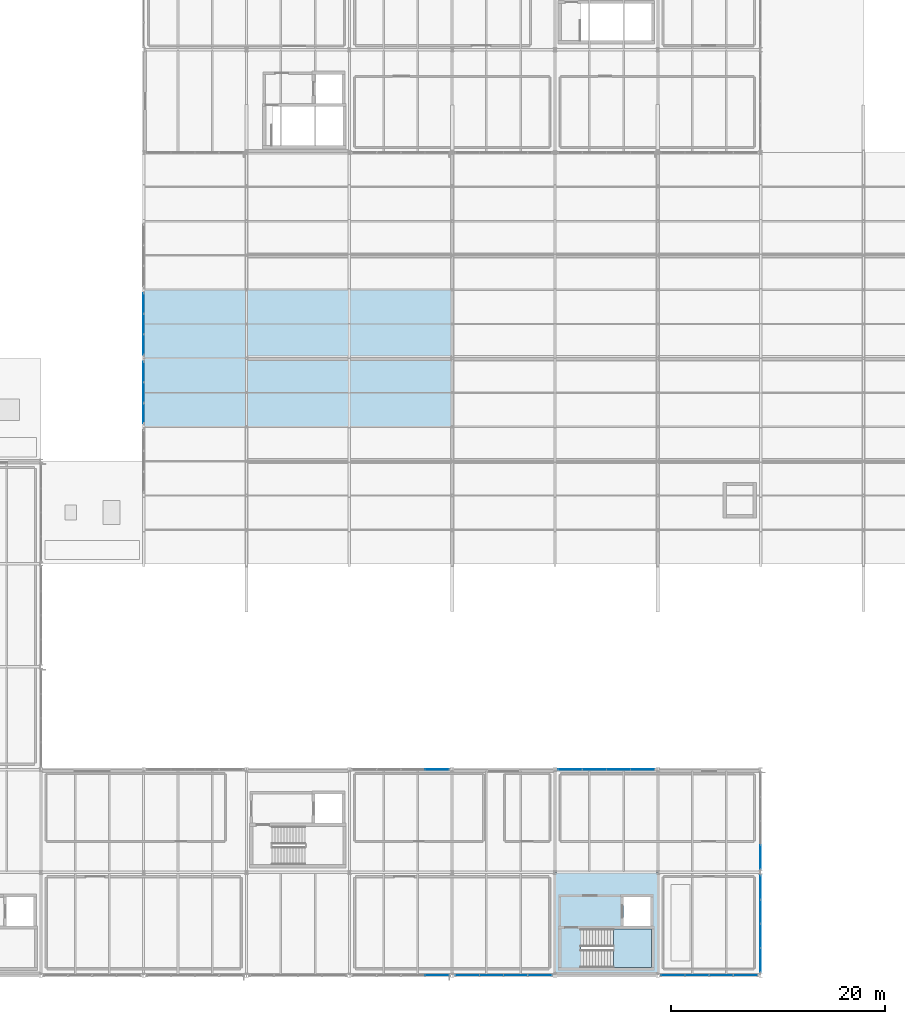
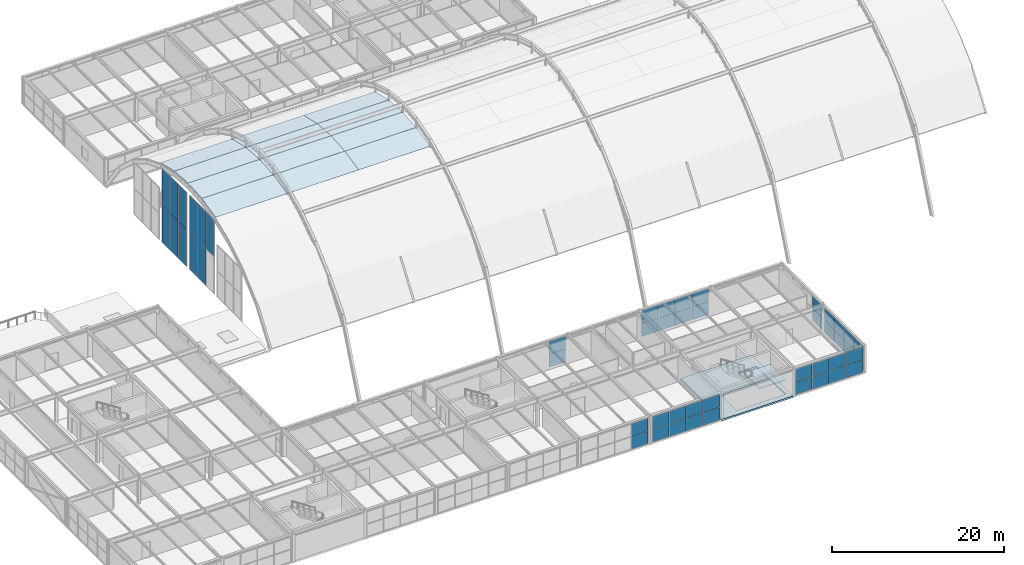
# One storey, part 106 of 126: 61 plates, 2 slabs, 10 elements without a shape of their own.
"""IFC4 building model written with IfcOpenShell, lengths in metres."""

from ifc_helpers import new_model, si_unit, direction, frame, origin, origin_2d, place, context, subcontext, project, spatial, polyline, rectangle, outline, extrude, material, layer, layer_set, type_object, element, aggregate, save


model = new_model("IFC4")

# Units and contexts
model_context = context("Model", 3, precision=1e-05, world=origin(), true_north=direction((0.0, 1.0)))
body_context = subcontext(model_context, "Body", "Model", "MODEL_VIEW")
ifc_project = project(units=[si_unit("LENGTHUNIT", "METRE"), si_unit("AREAUNIT", "SQUARE_METRE"), si_unit("VOLUMEUNIT", "CUBIC_METRE"), si_unit("PLANEANGLEUNIT", "RADIAN"), si_unit("MASSUNIT", "GRAM", prefix="KILO")], contexts=[model_context])

# Site, building, storey
site_placement = place(None, origin())
site = spatial("IfcSite", under=ifc_project, at=site_placement, CompositionType="ELEMENT")
building_placement = place(site_placement, origin())
building = spatial("IfcBuilding", under=site, at=building_placement, Name="Coralgate Yard Interchange", CompositionType="ELEMENT")
storey_placement = place(building_placement, frame((0.0, 0.0, 10.5)))
storey = spatial("IfcBuildingStorey", under=building, at=storey_placement, Name="L02", CompositionType="ELEMENT", Elevation=10.5)

# Curtain wall, plates
ifc_material_1 = material(Name="Anodised coastal aluminium and solar-control low-E glass", Category="aluminium")
curtain_wall_type_1 = type_object("IfcCurtainWallType", Name="CW-CW-L02-A", PredefinedType="NOTDEFINED", material=ifc_material_1)
curtain_wall_1_placement = place(storey_placement, origin())
curtain_wall_1 = element("IfcCurtainWall", 1, at=curtain_wall_1_placement, inside=storey, type_object=curtain_wall_type_1, Name="L02 unitised curtain wall CW-L02-S-06-00", PredefinedType="NOTDEFINED")
ifc_material_2 = material(Name="Solar-control double-glazed low-E glass unit", Category="glass")
ifc_layer_1 = layer(ifc_material_2, 0.028076171875)
ifc_layer_set_1 = layer_set([ifc_layer_1], Name="Solar-control double-glazed low-E glass unit")
plate_type_1 = type_object("IfcPlateType", Name="PLT-CP-28", PredefinedType="CURTAIN_PANEL", material=ifc_layer_set_1)
plate_1_placement = place(storey_placement, frame((65.77490234375, 0.0, 0.02490234375), z_axis=(0.0, 0.0, 1.0), x_axis=(-1.0, 0.0, 0.0)))
plate_1 = element("IfcPlate", 2, at=plate_1_placement, type_object=plate_type_1, Name="CW-L02-S-06-00 solar-control glazing panel 1-1", PredefinedType="CURTAIN_PANEL", context=body_context, shape_type="SweptSolid", body=[
    extrude(rectangle(XDim=2.199951171875, YDim=0.028076171875, at=origin_2d()), origin(), (0.0, 0.0, 1.0), 1.780029296875),
])
plate_2_placement = place(storey_placement, frame((65.77490234375, 0.0, 1.85498046875), z_axis=(0.0, 0.0, 1.0), x_axis=(-1.0, 0.0, 0.0)))
plate_2 = element("IfcPlate", 3, at=plate_2_placement, type_object=plate_type_1, Name="CW-L02-S-06-00 solar-control glazing panel 1-2", PredefinedType="CURTAIN_PANEL", context=body_context, shape_type="SweptSolid", body=[
    extrude(rectangle(XDim=2.199951171875, YDim=0.028076171875, at=origin_2d()), origin(), (0.0, 0.0, 1.0), 1.780029296875),
])
aggregate(curtain_wall_1, [plate_1, plate_2])

curtain_wall_2_placement = place(storey_placement, origin())
curtain_wall_2 = element("IfcCurtainWall", 4, at=curtain_wall_2_placement, inside=storey, type_object=curtain_wall_type_1, Name="L02 unitised curtain wall CW-L02-N-06-01", PredefinedType="NOTDEFINED")
plate_3_placement = place(storey_placement, frame((65.77490234375, 19.199951171875, 0.02490234375), z_axis=(0.0, 0.0, 1.0), x_axis=(1.0, 0.0, 0.0)))
plate_3 = element("IfcPlate", 5, at=plate_3_placement, type_object=plate_type_1, Name="CW-L02-N-06-01 solar-control glazing panel 4-1", PredefinedType="CURTAIN_PANEL", context=body_context, shape_type="SweptSolid", body=[
    extrude(rectangle(XDim=2.199951171875, YDim=0.028076171875, at=origin_2d()), origin(), (0.0, 0.0, 1.0), 1.780029296875),
])
plate_4_placement = place(storey_placement, frame((65.77490234375, 19.199951171875, 1.85498046875), z_axis=(0.0, 0.0, 1.0), x_axis=(1.0, 0.0, 0.0)))
plate_4 = element("IfcPlate", 6, at=plate_4_placement, type_object=plate_type_1, Name="CW-L02-N-06-01 solar-control glazing panel 4-2", PredefinedType="CURTAIN_PANEL", context=body_context, shape_type="SweptSolid", body=[
    extrude(rectangle(XDim=2.199951171875, YDim=0.028076171875, at=origin_2d()), origin(), (0.0, 0.0, 1.0), 1.780029296875),
])
aggregate(curtain_wall_2, [plate_3, plate_4])

curtain_wall_3_placement = place(storey_placement, origin())
curtain_wall_3 = element("IfcCurtainWall", 7, at=curtain_wall_3_placement, inside=storey, type_object=curtain_wall_type_1, Name="L02 unitised curtain wall CW-L02-S-07-00", PredefinedType="NOTDEFINED")
plate_5_placement = place(storey_placement, frame((75.375, 0.0, 0.02490234375), z_axis=(0.0, 0.0, 1.0), x_axis=(-1.0, 0.0, 0.0)))
plate_5 = element("IfcPlate", 8, at=plate_5_placement, type_object=plate_type_1, Name="CW-L02-S-07-00 solar-control glazing panel 1-1", PredefinedType="CURTAIN_PANEL", context=body_context, shape_type="SweptSolid", body=[
    extrude(rectangle(XDim=2.199951171875, YDim=0.028076171875, at=origin_2d()), origin(), (0.0, 0.0, 1.0), 1.780029296875),
])
plate_6_placement = place(storey_placement, frame((75.375, 0.0, 1.85498046875), z_axis=(0.0, 0.0, 1.0), x_axis=(-1.0, 0.0, 0.0)))
plate_6 = element("IfcPlate", 9, at=plate_6_placement, type_object=plate_type_1, Name="CW-L02-S-07-00 solar-control glazing panel 1-2", PredefinedType="CURTAIN_PANEL", context=body_context, shape_type="SweptSolid", body=[
    extrude(rectangle(XDim=2.199951171875, YDim=0.028076171875, at=origin_2d()), origin(), (0.0, 0.0, 1.0), 1.780029296875),
])
plate_7_placement = place(storey_placement, frame((73.125, 0.0, 0.02490234375), z_axis=(0.0, 0.0, 1.0), x_axis=(-1.0, 0.0, 0.0)))
plate_7 = element("IfcPlate", 10, at=plate_7_placement, type_object=plate_type_1, Name="CW-L02-S-07-00 solar-control glazing panel 2-1", PredefinedType="CURTAIN_PANEL", context=body_context, shape_type="SweptSolid", body=[
    extrude(rectangle(XDim=2.199951171875, YDim=0.028076171875, at=origin_2d()), origin(), (0.0, 0.0, 1.0), 1.780029296875),
])
plate_8_placement = place(storey_placement, frame((73.125, 0.0, 1.85498046875), z_axis=(0.0, 0.0, 1.0), x_axis=(-1.0, 0.0, 0.0)))
plate_8 = element("IfcPlate", 11, at=plate_8_placement, type_object=plate_type_1, Name="CW-L02-S-07-00 solar-control glazing panel 2-2", PredefinedType="CURTAIN_PANEL", context=body_context, shape_type="SweptSolid", body=[
    extrude(rectangle(XDim=2.199951171875, YDim=0.028076171875, at=origin_2d()), origin(), (0.0, 0.0, 1.0), 1.780029296875),
])
plate_9_placement = place(storey_placement, frame((70.875, 0.0, 0.02490234375), z_axis=(0.0, 0.0, 1.0), x_axis=(-1.0, 0.0, 0.0)))
plate_9 = element("IfcPlate", 12, at=plate_9_placement, type_object=plate_type_1, Name="CW-L02-S-07-00 solar-control glazing panel 3-1", PredefinedType="CURTAIN_PANEL", context=body_context, shape_type="SweptSolid", body=[
    extrude(rectangle(XDim=2.199951171875, YDim=0.028076171875, at=origin_2d()), origin(), (0.0, 0.0, 1.0), 1.780029296875),
])
plate_10_placement = place(storey_placement, frame((70.875, 0.0, 1.85498046875), z_axis=(0.0, 0.0, 1.0), x_axis=(-1.0, 0.0, 0.0)))
plate_10 = element("IfcPlate", 13, at=plate_10_placement, type_object=plate_type_1, Name="CW-L02-S-07-00 solar-control glazing panel 3-2", PredefinedType="CURTAIN_PANEL", context=body_context, shape_type="SweptSolid", body=[
    extrude(rectangle(XDim=2.199951171875, YDim=0.028076171875, at=origin_2d()), origin(), (0.0, 0.0, 1.0), 1.780029296875),
])
plate_11_placement = place(storey_placement, frame((68.625, 0.0, 0.02490234375), z_axis=(0.0, 0.0, 1.0), x_axis=(-1.0, 0.0, 0.0)))
plate_11 = element("IfcPlate", 14, at=plate_11_placement, type_object=plate_type_1, Name="CW-L02-S-07-00 solar-control glazing panel 4-1", PredefinedType="CURTAIN_PANEL", context=body_context, shape_type="SweptSolid", body=[
    extrude(rectangle(XDim=2.199951171875, YDim=0.028076171875, at=origin_2d()), origin(), (0.0, 0.0, 1.0), 1.780029296875),
])
plate_12_placement = place(storey_placement, frame((68.625, 0.0, 1.85498046875), z_axis=(0.0, 0.0, 1.0), x_axis=(-1.0, 0.0, 0.0)))
plate_12 = element("IfcPlate", 15, at=plate_12_placement, type_object=plate_type_1, Name="CW-L02-S-07-00 solar-control glazing panel 4-2", PredefinedType="CURTAIN_PANEL", context=body_context, shape_type="SweptSolid", body=[
    extrude(rectangle(XDim=2.199951171875, YDim=0.028076171875, at=origin_2d()), origin(), (0.0, 0.0, 1.0), 1.780029296875),
])
aggregate(curtain_wall_3, [plate_5, plate_6, plate_7, plate_8, plate_9, plate_10, plate_11, plate_12])

curtain_wall_4_placement = place(storey_placement, origin())
curtain_wall_4 = element("IfcCurtainWall", 16, at=curtain_wall_4_placement, inside=storey, type_object=curtain_wall_type_1, Name="L02 unitised curtain wall CW-L02-N-08-01", PredefinedType="NOTDEFINED")
plate_13_placement = place(storey_placement, frame((78.22509765625, 19.199951171875, 0.02490234375), z_axis=(0.0, 0.0, 1.0), x_axis=(1.0, 0.0, 0.0)))
plate_13 = element("IfcPlate", 17, at=plate_13_placement, type_object=plate_type_1, Name="CW-L02-N-08-01 solar-control glazing panel 1-1", PredefinedType="CURTAIN_PANEL", context=body_context, shape_type="SweptSolid", body=[
    extrude(rectangle(XDim=2.199951171875, YDim=0.028076171875, at=origin_2d()), origin(), (0.0, 0.0, 1.0), 1.780029296875),
])
plate_14_placement = place(storey_placement, frame((78.22509765625, 19.199951171875, 1.85498046875), z_axis=(0.0, 0.0, 1.0), x_axis=(1.0, 0.0, 0.0)))
plate_14 = element("IfcPlate", 18, at=plate_14_placement, type_object=plate_type_1, Name="CW-L02-N-08-01 solar-control glazing panel 1-2", PredefinedType="CURTAIN_PANEL", context=body_context, shape_type="SweptSolid", body=[
    extrude(rectangle(XDim=2.199951171875, YDim=0.028076171875, at=origin_2d()), origin(), (0.0, 0.0, 1.0), 1.780029296875),
])
plate_15_placement = place(storey_placement, frame((80.47509765625, 19.199951171875, 0.02490234375), z_axis=(0.0, 0.0, 1.0), x_axis=(1.0, 0.0, 0.0)))
plate_15 = element("IfcPlate", 19, at=plate_15_placement, type_object=plate_type_1, Name="CW-L02-N-08-01 solar-control glazing panel 2-1", PredefinedType="CURTAIN_PANEL", context=body_context, shape_type="SweptSolid", body=[
    extrude(rectangle(XDim=2.199951171875, YDim=0.028076171875, at=origin_2d()), origin(), (0.0, 0.0, 1.0), 1.780029296875),
])
plate_16_placement = place(storey_placement, frame((80.47509765625, 19.199951171875, 1.85498046875), z_axis=(0.0, 0.0, 1.0), x_axis=(1.0, 0.0, 0.0)))
plate_16 = element("IfcPlate", 20, at=plate_16_placement, type_object=plate_type_1, Name="CW-L02-N-08-01 solar-control glazing panel 2-2", PredefinedType="CURTAIN_PANEL", context=body_context, shape_type="SweptSolid", body=[
    extrude(rectangle(XDim=2.199951171875, YDim=0.028076171875, at=origin_2d()), origin(), (0.0, 0.0, 1.0), 1.780029296875),
])
plate_17_placement = place(storey_placement, frame((82.72509765625, 19.199951171875, 0.02490234375), z_axis=(0.0, 0.0, 1.0), x_axis=(1.0, 0.0, 0.0)))
plate_17 = element("IfcPlate", 21, at=plate_17_placement, type_object=plate_type_1, Name="CW-L02-N-08-01 solar-control glazing panel 3-1", PredefinedType="CURTAIN_PANEL", context=body_context, shape_type="SweptSolid", body=[
    extrude(rectangle(XDim=2.199951171875, YDim=0.028076171875, at=origin_2d()), origin(), (0.0, 0.0, 1.0), 1.780029296875),
])
plate_18_placement = place(storey_placement, frame((82.72509765625, 19.199951171875, 1.85498046875), z_axis=(0.0, 0.0, 1.0), x_axis=(1.0, 0.0, 0.0)))
plate_18 = element("IfcPlate", 22, at=plate_18_placement, type_object=plate_type_1, Name="CW-L02-N-08-01 solar-control glazing panel 3-2", PredefinedType="CURTAIN_PANEL", context=body_context, shape_type="SweptSolid", body=[
    extrude(rectangle(XDim=2.199951171875, YDim=0.028076171875, at=origin_2d()), origin(), (0.0, 0.0, 1.0), 1.780029296875),
])
plate_19_placement = place(storey_placement, frame((84.97509765625, 19.199951171875, 0.02490234375), z_axis=(0.0, 0.0, 1.0), x_axis=(1.0, 0.0, 0.0)))
plate_19 = element("IfcPlate", 23, at=plate_19_placement, type_object=plate_type_1, Name="CW-L02-N-08-01 solar-control glazing panel 4-1", PredefinedType="CURTAIN_PANEL", context=body_context, shape_type="SweptSolid", body=[
    extrude(rectangle(XDim=2.199951171875, YDim=0.028076171875, at=origin_2d()), origin(), (0.0, 0.0, 1.0), 1.780029296875),
])
plate_20_placement = place(storey_placement, frame((84.97509765625, 19.199951171875, 1.85498046875), z_axis=(0.0, 0.0, 1.0), x_axis=(1.0, 0.0, 0.0)))
plate_20 = element("IfcPlate", 24, at=plate_20_placement, type_object=plate_type_1, Name="CW-L02-N-08-01 solar-control glazing panel 4-2", PredefinedType="CURTAIN_PANEL", context=body_context, shape_type="SweptSolid", body=[
    extrude(rectangle(XDim=2.199951171875, YDim=0.028076171875, at=origin_2d()), origin(), (0.0, 0.0, 1.0), 1.780029296875),
])
aggregate(curtain_wall_4, [plate_13, plate_14, plate_15, plate_16, plate_17, plate_18, plate_19, plate_20])

curtain_wall_5_placement = place(storey_placement, origin())
curtain_wall_5 = element("IfcCurtainWall", 25, at=curtain_wall_5_placement, inside=storey, type_object=curtain_wall_type_1, Name="L02 unitised curtain wall CW-L02-S-09-00", PredefinedType="NOTDEFINED")
plate_21_placement = place(storey_placement, frame((94.574951171875, 0.0, 0.02490234375), z_axis=(0.0, 0.0, 1.0), x_axis=(-1.0, 0.0, 0.0)))
plate_21 = element("IfcPlate", 26, at=plate_21_placement, type_object=plate_type_1, Name="CW-L02-S-09-00 solar-control glazing panel 1-1", PredefinedType="CURTAIN_PANEL", context=body_context, shape_type="SweptSolid", body=[
    extrude(rectangle(XDim=2.199951171875, YDim=0.028076171875, at=origin_2d()), origin(), (0.0, 0.0, 1.0), 1.780029296875),
])
plate_22_placement = place(storey_placement, frame((94.574951171875, 0.0, 1.85498046875), z_axis=(0.0, 0.0, 1.0), x_axis=(-1.0, 0.0, 0.0)))
plate_22 = element("IfcPlate", 27, at=plate_22_placement, type_object=plate_type_1, Name="CW-L02-S-09-00 solar-control glazing panel 1-2", PredefinedType="CURTAIN_PANEL", context=body_context, shape_type="SweptSolid", body=[
    extrude(rectangle(XDim=2.199951171875, YDim=0.028076171875, at=origin_2d()), origin(), (0.0, 0.0, 1.0), 1.780029296875),
])
plate_23_placement = place(storey_placement, frame((92.324951171875, 0.0, 0.02490234375), z_axis=(0.0, 0.0, 1.0), x_axis=(-1.0, 0.0, 0.0)))
plate_23 = element("IfcPlate", 28, at=plate_23_placement, type_object=plate_type_1, Name="CW-L02-S-09-00 solar-control glazing panel 2-1", PredefinedType="CURTAIN_PANEL", context=body_context, shape_type="SweptSolid", body=[
    extrude(rectangle(XDim=2.199951171875, YDim=0.028076171875, at=origin_2d()), origin(), (0.0, 0.0, 1.0), 1.780029296875),
])
plate_24_placement = place(storey_placement, frame((92.324951171875, 0.0, 1.85498046875), z_axis=(0.0, 0.0, 1.0), x_axis=(-1.0, 0.0, 0.0)))
plate_24 = element("IfcPlate", 29, at=plate_24_placement, type_object=plate_type_1, Name="CW-L02-S-09-00 solar-control glazing panel 2-2", PredefinedType="CURTAIN_PANEL", context=body_context, shape_type="SweptSolid", body=[
    extrude(rectangle(XDim=2.199951171875, YDim=0.028076171875, at=origin_2d()), origin(), (0.0, 0.0, 1.0), 1.780029296875),
])
plate_25_placement = place(storey_placement, frame((90.074951171875, 0.0, 0.02490234375), z_axis=(0.0, 0.0, 1.0), x_axis=(-1.0, 0.0, 0.0)))
plate_25 = element("IfcPlate", 30, at=plate_25_placement, type_object=plate_type_1, Name="CW-L02-S-09-00 solar-control glazing panel 3-1", PredefinedType="CURTAIN_PANEL", context=body_context, shape_type="SweptSolid", body=[
    extrude(rectangle(XDim=2.199951171875, YDim=0.028076171875, at=origin_2d()), origin(), (0.0, 0.0, 1.0), 1.780029296875),
])
plate_26_placement = place(storey_placement, frame((90.074951171875, 0.0, 1.85498046875), z_axis=(0.0, 0.0, 1.0), x_axis=(-1.0, 0.0, 0.0)))
plate_26 = element("IfcPlate", 31, at=plate_26_placement, type_object=plate_type_1, Name="CW-L02-S-09-00 solar-control glazing panel 3-2", PredefinedType="CURTAIN_PANEL", context=body_context, shape_type="SweptSolid", body=[
    extrude(rectangle(XDim=2.199951171875, YDim=0.028076171875, at=origin_2d()), origin(), (0.0, 0.0, 1.0), 1.780029296875),
])
plate_27_placement = place(storey_placement, frame((87.824951171875, 0.0, 0.02490234375), z_axis=(0.0, 0.0, 1.0), x_axis=(-1.0, 0.0, 0.0)))
plate_27 = element("IfcPlate", 32, at=plate_27_placement, type_object=plate_type_1, Name="CW-L02-S-09-00 solar-control glazing panel 4-1", PredefinedType="CURTAIN_PANEL", context=body_context, shape_type="SweptSolid", body=[
    extrude(rectangle(XDim=2.199951171875, YDim=0.028076171875, at=origin_2d()), origin(), (0.0, 0.0, 1.0), 1.780029296875),
])
plate_28_placement = place(storey_placement, frame((87.824951171875, 0.0, 1.85498046875), z_axis=(0.0, 0.0, 1.0), x_axis=(-1.0, 0.0, 0.0)))
plate_28 = element("IfcPlate", 33, at=plate_28_placement, type_object=plate_type_1, Name="CW-L02-S-09-00 solar-control glazing panel 4-2", PredefinedType="CURTAIN_PANEL", context=body_context, shape_type="SweptSolid", body=[
    extrude(rectangle(XDim=2.199951171875, YDim=0.028076171875, at=origin_2d()), origin(), (0.0, 0.0, 1.0), 1.780029296875),
])
aggregate(curtain_wall_5, [plate_21, plate_22, plate_23, plate_24, plate_25, plate_26, plate_27, plate_28])

curtain_wall_6_placement = place(storey_placement, origin())
curtain_wall_6 = element("IfcCurtainWall", 34, at=curtain_wall_6_placement, inside=storey, type_object=curtain_wall_type_1, Name="L02 unitised curtain wall CW-L02-E-09-00", PredefinedType="NOTDEFINED")
plate_29_placement = place(storey_placement, frame((96.0, 8.175048828125, 0.02490234375), z_axis=(0.0, 0.0, 1.0), x_axis=(0.0, -1.0, 0.0)))
plate_29 = element("IfcPlate", 35, at=plate_29_placement, type_object=plate_type_1, Name="CW-L02-E-09-00 solar-control glazing panel 1-1", PredefinedType="CURTAIN_PANEL", context=body_context, shape_type="SweptSolid", body=[
    extrude(rectangle(XDim=2.199951171875, YDim=0.028076171875, at=origin_2d()), origin(), (0.0, 0.0, 1.0), 1.696533203125),
])
plate_30_placement = place(storey_placement, frame((96.0, 8.175048828125, 1.771484375), z_axis=(0.0, 0.0, 1.0), x_axis=(0.0, -1.0, 0.0)))
plate_30 = element("IfcPlate", 36, at=plate_30_placement, type_object=plate_type_1, Name="CW-L02-E-09-00 solar-control glazing panel 1-2", PredefinedType="CURTAIN_PANEL", context=body_context, shape_type="SweptSolid", body=[
    extrude(rectangle(XDim=2.199951171875, YDim=0.028076171875, at=origin_2d()), origin(), (0.0, 0.0, 1.0), 1.696533203125),
])
plate_31_placement = place(storey_placement, frame((96.0, 5.925048828125, 0.02490234375), z_axis=(0.0, 0.0, 1.0), x_axis=(0.0, -1.0, 0.0)))
plate_31 = element("IfcPlate", 37, at=plate_31_placement, type_object=plate_type_1, Name="CW-L02-E-09-00 solar-control glazing panel 2-1", PredefinedType="CURTAIN_PANEL", context=body_context, shape_type="SweptSolid", body=[
    extrude(rectangle(XDim=2.199951171875, YDim=0.028076171875, at=origin_2d()), origin(), (0.0, 0.0, 1.0), 1.696533203125),
])
plate_32_placement = place(storey_placement, frame((96.0, 5.925048828125, 1.771484375), z_axis=(0.0, 0.0, 1.0), x_axis=(0.0, -1.0, 0.0)))
plate_32 = element("IfcPlate", 38, at=plate_32_placement, type_object=plate_type_1, Name="CW-L02-E-09-00 solar-control glazing panel 2-2", PredefinedType="CURTAIN_PANEL", context=body_context, shape_type="SweptSolid", body=[
    extrude(rectangle(XDim=2.199951171875, YDim=0.028076171875, at=origin_2d()), origin(), (0.0, 0.0, 1.0), 1.696533203125),
])
plate_33_placement = place(storey_placement, frame((96.0, 3.675048828125, 0.02490234375), z_axis=(0.0, 0.0, 1.0), x_axis=(0.0, -1.0, 0.0)))
plate_33 = element("IfcPlate", 39, at=plate_33_placement, type_object=plate_type_1, Name="CW-L02-E-09-00 solar-control glazing panel 3-1", PredefinedType="CURTAIN_PANEL", context=body_context, shape_type="SweptSolid", body=[
    extrude(rectangle(XDim=2.199951171875, YDim=0.028076171875, at=origin_2d()), origin(), (0.0, 0.0, 1.0), 1.696533203125),
])
plate_34_placement = place(storey_placement, frame((96.0, 3.675048828125, 1.771484375), z_axis=(0.0, 0.0, 1.0), x_axis=(0.0, -1.0, 0.0)))
plate_34 = element("IfcPlate", 40, at=plate_34_placement, type_object=plate_type_1, Name="CW-L02-E-09-00 solar-control glazing panel 3-2", PredefinedType="CURTAIN_PANEL", context=body_context, shape_type="SweptSolid", body=[
    extrude(rectangle(XDim=2.199951171875, YDim=0.028076171875, at=origin_2d()), origin(), (0.0, 0.0, 1.0), 1.696533203125),
])
plate_35_placement = place(storey_placement, frame((96.0, 1.425048828125, 0.02490234375), z_axis=(0.0, 0.0, 1.0), x_axis=(0.0, -1.0, 0.0)))
plate_35 = element("IfcPlate", 41, at=plate_35_placement, type_object=plate_type_1, Name="CW-L02-E-09-00 solar-control glazing panel 4-1", PredefinedType="CURTAIN_PANEL", context=body_context, shape_type="SweptSolid", body=[
    extrude(rectangle(XDim=2.199951171875, YDim=0.028076171875, at=origin_2d()), origin(), (0.0, 0.0, 1.0), 1.696533203125),
])
plate_36_placement = place(storey_placement, frame((96.0, 1.425048828125, 1.771484375), z_axis=(0.0, 0.0, 1.0), x_axis=(0.0, -1.0, 0.0)))
plate_36 = element("IfcPlate", 42, at=plate_36_placement, type_object=plate_type_1, Name="CW-L02-E-09-00 solar-control glazing panel 4-2", PredefinedType="CURTAIN_PANEL", context=body_context, shape_type="SweptSolid", body=[
    extrude(rectangle(XDim=2.199951171875, YDim=0.028076171875, at=origin_2d()), origin(), (0.0, 0.0, 1.0), 1.696533203125),
])
aggregate(curtain_wall_6, [plate_29, plate_30, plate_31, plate_32, plate_33, plate_34, plate_35, plate_36])

curtain_wall_7_placement = place(storey_placement, origin())
curtain_wall_7 = element("IfcCurtainWall", 43, at=curtain_wall_7_placement, inside=storey, type_object=curtain_wall_type_1, Name="L02 unitised curtain wall CW-L02-E-09-01", PredefinedType="NOTDEFINED")
plate_37_placement = place(storey_placement, frame((96.0, 11.02490234375, 0.02490234375), z_axis=(0.0, 0.0, 1.0), x_axis=(0.0, -1.0, 0.0)))
plate_37 = element("IfcPlate", 44, at=plate_37_placement, type_object=plate_type_1, Name="CW-L02-E-09-01 solar-control glazing panel 4-1", PredefinedType="CURTAIN_PANEL", context=body_context, shape_type="SweptSolid", body=[
    extrude(rectangle(XDim=2.199951171875, YDim=0.028076171875, at=origin_2d()), origin(), (0.0, 0.0, 1.0), 1.696533203125),
])
plate_38_placement = place(storey_placement, frame((96.0, 11.02490234375, 1.771484375), z_axis=(0.0, 0.0, 1.0), x_axis=(0.0, -1.0, 0.0)))
plate_38 = element("IfcPlate", 45, at=plate_38_placement, type_object=plate_type_1, Name="CW-L02-E-09-01 solar-control glazing panel 4-2", PredefinedType="CURTAIN_PANEL", context=body_context, shape_type="SweptSolid", body=[
    extrude(rectangle(XDim=2.199951171875, YDim=0.028076171875, at=origin_2d()), origin(), (0.0, 0.0, 1.0), 1.696533203125),
])
aggregate(curtain_wall_7, [plate_37, plate_38])

curtain_wall_type_2 = type_object("IfcCurtainWallType", Name="CW-CW-VLT-3", PredefinedType="NOTDEFINED", material=ifc_material_1)
curtain_wall_8_placement = place(storey_placement, origin())
curtain_wall_8 = element("IfcCurtainWall", 46, at=curtain_wall_8_placement, inside=storey, type_object=curtain_wall_type_2, Name="L02 unitised curtain wall CW-VAULT-W-3", PredefinedType="NOTDEFINED")
ifc_layer_2 = layer(ifc_material_2, 0.0419921875)
ifc_layer_set_2 = layer_set([ifc_layer_2], Name="Solar-control double-glazed low-E glass unit")
plate_type_2 = type_object("IfcPlateType", Name="PLT-CP-42", PredefinedType="CURTAIN_PANEL", material=ifc_layer_set_2)
plate_39_placement = place(storey_placement, frame((38.39990234375, 52.473388671875, 5.31298828125), z_axis=(0.0, 0.0, 1.0), x_axis=(0.0, 1.0, 0.0)))
plate_39 = element("IfcPlate", 47, at=plate_39_placement, type_object=plate_type_2, Name="CW-VAULT-W-3 solar-control glazing panel 1-2", PredefinedType="CURTAIN_PANEL", context=body_context, shape_type="SweptSolid", body=[
    extrude(rectangle(XDim=1.876708984375, YDim=0.0419921875, at=origin_2d()), origin(), (0.0, 0.0, 1.0), 5.238037109375),
])
plate_40_placement = place(storey_placement, frame((38.39990234375, 54.39990234375, 0.02490234375), z_axis=(0.0, 0.0, 1.0), x_axis=(0.0, 1.0, 0.0)))
plate_40 = element("IfcPlate", 48, at=plate_40_placement, type_object=plate_type_2, Name="CW-VAULT-W-3 solar-control glazing panel 2-1", PredefinedType="CURTAIN_PANEL", context=body_context, shape_type="SweptSolid", body=[
    extrude(rectangle(XDim=1.876708984375, YDim=0.0419921875, at=origin_2d()), origin(), (0.0, 0.0, 1.0), 5.238037109375),
])
plate_41_placement = place(storey_placement, frame((38.39990234375, 54.39990234375, 5.31298828125), z_axis=(0.0, 0.0, 1.0), x_axis=(0.0, 1.0, 0.0)))
plate_41 = element("IfcPlate", 49, at=plate_41_placement, type_object=plate_type_2, Name="CW-VAULT-W-3 solar-control glazing panel 2-2", PredefinedType="CURTAIN_PANEL", context=body_context, shape_type="SweptSolid", body=[
    extrude(rectangle(XDim=1.876708984375, YDim=0.0419921875, at=origin_2d()), origin(), (0.0, 0.0, 1.0), 5.238037109375),
])
plate_42_placement = place(storey_placement, frame((38.39990234375, 56.32666015625, 0.02490234375), z_axis=(0.0, 0.0, 1.0), x_axis=(0.0, 1.0, 0.0)))
plate_42 = element("IfcPlate", 50, at=plate_42_placement, type_object=plate_type_2, Name="CW-VAULT-W-3 solar-control glazing panel 3-1", PredefinedType="CURTAIN_PANEL", context=body_context, shape_type="SweptSolid", body=[
    extrude(rectangle(XDim=1.876708984375, YDim=0.0419921875, at=origin_2d()), origin(), (0.0, 0.0, 1.0), 5.238037109375),
])
plate_43_placement = place(storey_placement, frame((38.39990234375, 56.32666015625, 5.31298828125), z_axis=(0.0, 0.0, 1.0), x_axis=(0.0, 1.0, 0.0)))
plate_43 = element("IfcPlate", 51, at=plate_43_placement, type_object=plate_type_2, Name="CW-VAULT-W-3 solar-control glazing panel 3-2", PredefinedType="CURTAIN_PANEL", context=body_context, shape_type="SweptSolid", body=[
    extrude(rectangle(XDim=1.876708984375, YDim=0.0419921875, at=origin_2d()), origin(), (0.0, 0.0, 1.0), 5.238037109375),
])
aggregate(curtain_wall_8, [plate_39, plate_40, plate_41, plate_42, plate_43])

curtain_wall_9_placement = place(storey_placement, origin())
curtain_wall_9 = element("IfcCurtainWall", 52, at=curtain_wall_9_placement, inside=storey, type_object=curtain_wall_type_2, Name="L02 unitised curtain wall CW-VAULT-W-4", PredefinedType="NOTDEFINED")
plate_44_placement = place(storey_placement, frame((38.39990234375, 58.873291015625, 0.02490234375), z_axis=(0.0, 0.0, 1.0), x_axis=(0.0, 1.0, 0.0)))
plate_44 = element("IfcPlate", 53, at=plate_44_placement, type_object=plate_type_2, Name="CW-VAULT-W-4 solar-control glazing panel 1-1", PredefinedType="CURTAIN_PANEL", context=body_context, shape_type="SweptSolid", body=[
    extrude(rectangle(XDim=1.876708984375, YDim=0.0419921875, at=origin_2d()), origin(), (0.0, 0.0, 1.0), 5.238037109375),
])
plate_45_placement = place(storey_placement, frame((38.39990234375, 58.873291015625, 5.31298828125), z_axis=(0.0, 0.0, 1.0), x_axis=(0.0, 1.0, 0.0)))
plate_45 = element("IfcPlate", 54, at=plate_45_placement, type_object=plate_type_2, Name="CW-VAULT-W-4 solar-control glazing panel 1-2", PredefinedType="CURTAIN_PANEL", context=body_context, shape_type="SweptSolid", body=[
    extrude(rectangle(XDim=1.876708984375, YDim=0.0419921875, at=origin_2d()), origin(), (0.0, 0.0, 1.0), 5.238037109375),
])
plate_46_placement = place(storey_placement, frame((38.39990234375, 60.800048828125, 0.02490234375), z_axis=(0.0, 0.0, 1.0), x_axis=(0.0, 1.0, 0.0)))
plate_46 = element("IfcPlate", 55, at=plate_46_placement, type_object=plate_type_2, Name="CW-VAULT-W-4 solar-control glazing panel 2-1", PredefinedType="CURTAIN_PANEL", context=body_context, shape_type="SweptSolid", body=[
    extrude(rectangle(XDim=1.876708984375, YDim=0.0419921875, at=origin_2d()), origin(), (0.0, 0.0, 1.0), 5.238037109375),
])
plate_47_placement = place(storey_placement, frame((38.39990234375, 60.800048828125, 5.31298828125), z_axis=(0.0, 0.0, 1.0), x_axis=(0.0, 1.0, 0.0)))
plate_47 = element("IfcPlate", 56, at=plate_47_placement, type_object=plate_type_2, Name="CW-VAULT-W-4 solar-control glazing panel 2-2", PredefinedType="CURTAIN_PANEL", context=body_context, shape_type="SweptSolid", body=[
    extrude(rectangle(XDim=1.876708984375, YDim=0.0419921875, at=origin_2d()), origin(), (0.0, 0.0, 1.0), 5.238037109375),
])
plate_48_placement = place(storey_placement, frame((38.39990234375, 62.7265625, 0.02490234375), z_axis=(0.0, 0.0, 1.0), x_axis=(0.0, 1.0, 0.0)))
plate_48 = element("IfcPlate", 57, at=plate_48_placement, type_object=plate_type_2, Name="CW-VAULT-W-4 solar-control glazing panel 3-1", PredefinedType="CURTAIN_PANEL", context=body_context, shape_type="SweptSolid", body=[
    extrude(rectangle(XDim=1.876708984375, YDim=0.0419921875, at=origin_2d()), origin(), (0.0, 0.0, 1.0), 5.238037109375),
])
plate_49_placement = place(storey_placement, frame((38.39990234375, 62.7265625, 5.31298828125), z_axis=(0.0, 0.0, 1.0), x_axis=(0.0, 1.0, 0.0)))
plate_49 = element("IfcPlate", 58, at=plate_49_placement, type_object=plate_type_2, Name="CW-VAULT-W-4 solar-control glazing panel 3-2", PredefinedType="CURTAIN_PANEL", context=body_context, shape_type="SweptSolid", body=[
    extrude(rectangle(XDim=1.876708984375, YDim=0.0419921875, at=origin_2d()), origin(), (0.0, 0.0, 1.0), 5.238037109375),
])
aggregate(curtain_wall_9, [plate_44, plate_45, plate_46, plate_47, plate_48, plate_49])

# Plates
ifc_material_3 = material(Name="Insulated solar-control laminated glass", Category="glass")
ifc_layer_3 = layer(ifc_material_3, 0.048095703125)
ifc_layer_set_3 = layer_set([ifc_layer_3], Name="Insulated solar-control laminated glass")
plate_type_3 = type_object("IfcPlateType", Name="PLT-VP-48", PredefinedType="SHEET", material=ifc_layer_set_3)
plate_50_placement = place(storey_placement, frame((43.199951171875, 52.805419921875, 11.414306640625), z_axis=(0.0, -0.223916275908, 0.9746083836), x_axis=(1.0, 0.0, 0.0)))
element("IfcPlate", 59, at=plate_50_placement, inside=storey, type_object=plate_type_3, Name="Vault crown skylight panel 1-5", PredefinedType="SHEET", context=body_context, shape_type="SweptSolid", body=[
    extrude(rectangle(XDim=9.60009765625, YDim=3.283447265625, at=origin_2d()), origin(), (0.0, 0.0, 1.0), 0.048095703125),
])
for number, where, z_axis, x_axis, name in (
    (60, (43.199951171875, 56.001708984375, 11.901123046875), (0.0, -0.074635004965, 0.997210918529), (1.0, 0.0, 0.0), "Vault crown skylight panel 1-6"),
    (61, (43.199951171875, 59.1982421875, 11.901123046875), (0.0, 0.074635004965, 0.997210918529), (1.0, 0.0, 0.0), "Vault crown skylight panel 1-7"),
):
    element("IfcPlate", number, at=place(storey_placement, frame(where, z_axis=z_axis, x_axis=x_axis)), inside=storey, type_object=plate_type_3, Name=name, PredefinedType="SHEET", context=body_context, shape_type="SweptSolid", body=[
        extrude(rectangle(XDim=9.60009765625, YDim=3.208984375, at=origin_2d()), origin(), (0.0, 0.0, 1.0), 0.048095703125),
    ])
for number, where, z_axis, x_axis, name in (
    (62, (43.199951171875, 62.39453125, 11.414306640625), (0.0, 0.223916275908, 0.9746083836), (1.0, 0.0, 0.0), "Vault crown skylight panel 1-8"),
    (63, (52.800048828125, 52.805419921875, 11.414306640625), (0.0, -0.223916275908, 0.9746083836), (1.0, 0.0, 0.0), "Vault crown skylight panel 2-5"),
):
    element("IfcPlate", number, at=place(storey_placement, frame(where, z_axis=z_axis, x_axis=x_axis)), inside=storey, type_object=plate_type_3, Name=name, PredefinedType="SHEET", context=body_context, shape_type="SweptSolid", body=[
        extrude(rectangle(XDim=9.60009765625, YDim=3.283447265625, at=origin_2d()), origin(), (0.0, 0.0, 1.0), 0.048095703125),
    ])
for number, where, z_axis, x_axis, name in (
    (64, (52.800048828125, 56.001708984375, 11.901123046875), (0.0, -0.074635004965, 0.997210918529), (1.0, 0.0, 0.0), "Vault crown skylight panel 2-6"),
    (65, (52.800048828125, 59.1982421875, 11.901123046875), (0.0, 0.074635004965, 0.997210918529), (1.0, 0.0, 0.0), "Vault crown skylight panel 2-7"),
):
    element("IfcPlate", number, at=place(storey_placement, frame(where, z_axis=z_axis, x_axis=x_axis)), inside=storey, type_object=plate_type_3, Name=name, PredefinedType="SHEET", context=body_context, shape_type="SweptSolid", body=[
        extrude(rectangle(XDim=9.60009765625, YDim=3.208984375, at=origin_2d()), origin(), (0.0, 0.0, 1.0), 0.048095703125),
    ])
for number, where, z_axis, x_axis, name in (
    (66, (52.800048828125, 62.39453125, 11.414306640625), (0.0, 0.223916275908, 0.9746083836), (1.0, 0.0, 0.0), "Vault crown skylight panel 2-8"),
    (67, (62.39990234375, 52.805419921875, 11.414306640625), (0.0, -0.223916275908, 0.9746083836), (1.0, 0.0, 0.0), "Vault crown skylight panel 3-5"),
):
    element("IfcPlate", number, at=place(storey_placement, frame(where, z_axis=z_axis, x_axis=x_axis)), inside=storey, type_object=plate_type_3, Name=name, PredefinedType="SHEET", context=body_context, shape_type="SweptSolid", body=[
        extrude(rectangle(XDim=9.60009765625, YDim=3.283447265625, at=origin_2d()), origin(), (0.0, 0.0, 1.0), 0.048095703125),
    ])
for number, where, z_axis, x_axis, name in (
    (68, (62.39990234375, 56.001708984375, 11.901123046875), (0.0, -0.074635004965, 0.997210918529), (1.0, 0.0, 0.0), "Vault crown skylight panel 3-6"),
    (69, (62.39990234375, 59.1982421875, 11.901123046875), (0.0, 0.074635004965, 0.997210918529), (1.0, 0.0, 0.0), "Vault crown skylight panel 3-7"),
):
    element("IfcPlate", number, at=place(storey_placement, frame(where, z_axis=z_axis, x_axis=x_axis)), inside=storey, type_object=plate_type_3, Name=name, PredefinedType="SHEET", context=body_context, shape_type="SweptSolid", body=[
        extrude(rectangle(XDim=9.60009765625, YDim=3.208984375, at=origin_2d()), origin(), (0.0, 0.0, 1.0), 0.048095703125),
    ])
plate_51_placement = place(storey_placement, frame((62.39990234375, 62.39453125, 11.414306640625), z_axis=(0.0, 0.223916275908, 0.9746083836), x_axis=(1.0, 0.0, 0.0)))
element("IfcPlate", 70, at=plate_51_placement, inside=storey, type_object=plate_type_3, Name="Vault crown skylight panel 3-8", PredefinedType="SHEET", context=body_context, shape_type="SweptSolid", body=[
    extrude(rectangle(XDim=9.60009765625, YDim=3.283447265625, at=origin_2d()), origin(), (0.0, 0.0, 1.0), 0.048095703125),
])

# Stair, slab
ifc_material_4 = material(Name="Concrete C40/50", Category="concrete")
stair_type = type_object("IfcStairType", Name="STR-DL-165-42", PredefinedType="HALF_TURN_STAIR", material=ifc_material_4)
stair_placement = place(storey_placement, origin())
stair = element("IfcStair", 71, at=stair_placement, inside=storey, type_object=stair_type, Name="L02 Escape stair ST-04", PredefinedType="HALF_TURN_STAIR")
ifc_layer_4 = layer(ifc_material_4, 0.199951171875)
ifc_layer_set_4 = layer_set([ifc_layer_4], Name="Concrete C40/50")
slab_type_1 = type_object("IfcSlabType", Name="SLB-LND200", PredefinedType="LANDING", material=ifc_layer_set_4)
slab_1_placement = place(storey_placement, frame((0.0, 0.0, 1.89990234375)))
slab_1 = element("IfcSlab", 72, at=slab_1_placement, type_object=slab_type_1, Name="ST-04 landing 1", PredefinedType="LANDING", context=body_context, shape_type="SweptSolid", body=[
    extrude(outline(polyline([(82.280029296875, 0.719970703125), (85.800048828125, 0.719970703125), (85.800048828125, 4.31005859375), (82.280029296875, 4.31005859375), (82.280029296875, 0.719970703125)])), origin(), (0.0, 0.0, 1.0), 0.2001953125),
])
aggregate(stair, [slab_1])

# Slab
ifc_layer_5 = layer(ifc_material_4, 0.25)
ifc_layer_set_5 = layer_set([ifc_layer_5], Name="Concrete C40/50")
slab_type_2 = type_object("IfcSlabType", Name="SLB-SL-FLR250", PredefinedType="FLOOR", material=ifc_layer_set_5)
slab_2_placement = place(storey_placement, frame((0.0, 0.0, -0.25)))
element("IfcSlab", 73, at=slab_2_placement, inside=storey, type_object=slab_type_2, Name="L02 core C4 structural floor slab", PredefinedType="FLOOR", context=body_context, shape_type="SweptSolid", body=[
    extrude(outline(polyline([(86.39990234375, 9.60009765625), (86.39990234375, 0.0), (76.800048828125, 0.0), (76.800048828125, 9.60009765625), (86.39990234375, 9.60009765625)]), holes=[polyline([(85.800048828125, 4.31005859375), (79.219970703125, 4.31005859375), (79.219970703125, 0.719970703125), (85.800048828125, 0.719970703125), (85.800048828125, 4.31005859375)]), polyline([(85.699951171875, 4.449951171875), (85.699951171875, 7.300048828125), (83.199951171875, 7.300048828125), (83.199951171875, 4.449951171875), (85.699951171875, 4.449951171875)])]), origin(), (0.0, 0.0, 1.0), 0.25),
])

save(model, "model.ifc")
